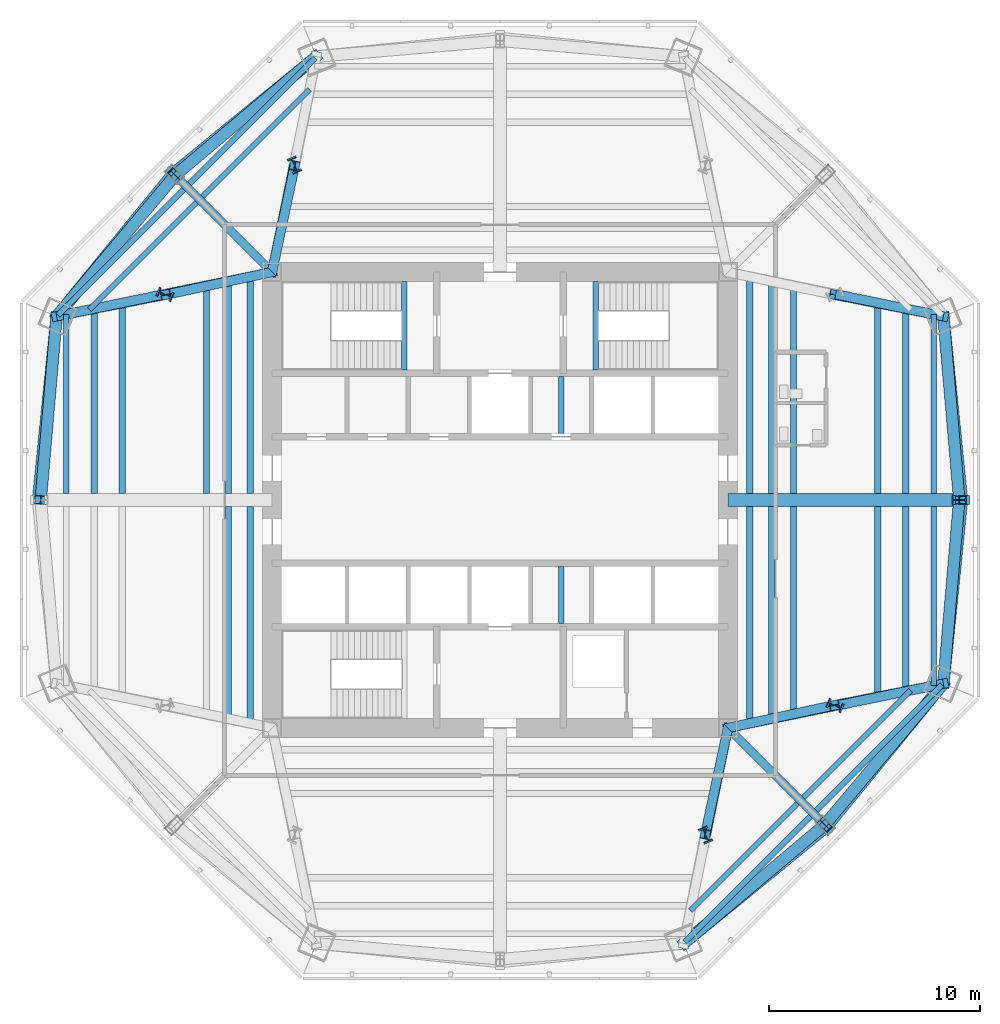
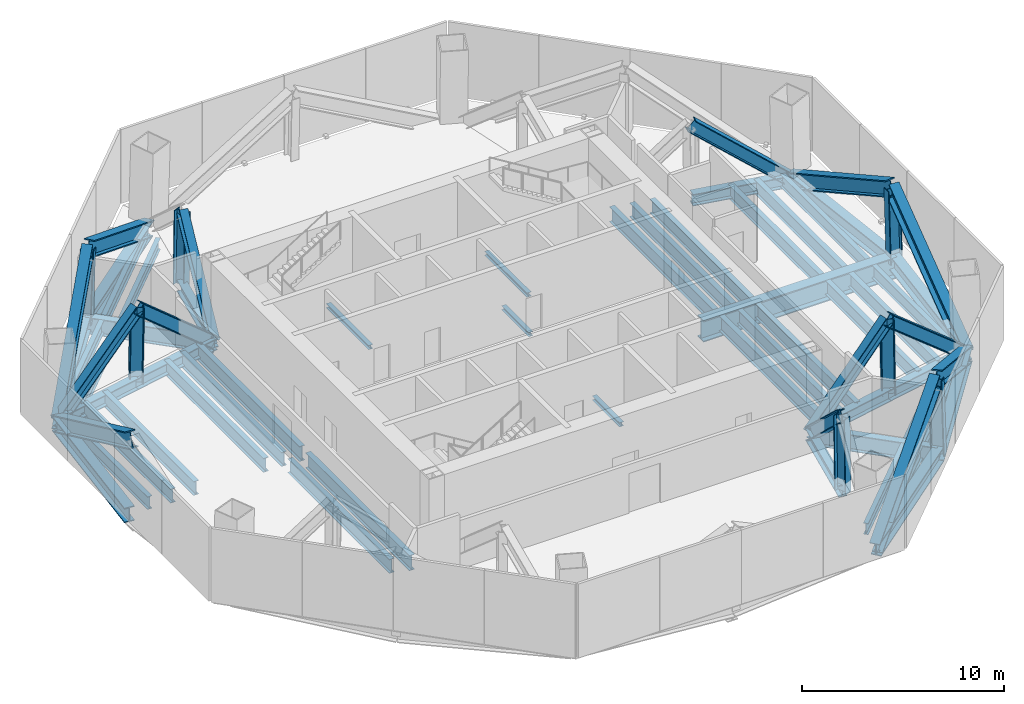
# One storey, part 2 of 9: 35 beams, 35 members.
"""IFC4 building model written with IfcOpenShell, lengths in metres."""

from ifc_helpers import new_model, si_unit, direction, frame, origin, origin_2d, place, context, subcontext, project, spatial, i_section, extrude, source, transform, mapped, material, material_profile, profile_set, type_object, type_shapes, element, save


model = new_model("IFC4")

# Units and contexts
model_context = context("Model", 3, precision=1e-05, world=origin(), true_north=direction((0.0, 1.0)))
body_context = subcontext(model_context, "Body", "Model", "MODEL_VIEW")
ifc_project = project(units=[si_unit("LENGTHUNIT", "METRE"), si_unit("AREAUNIT", "SQUARE_METRE"), si_unit("VOLUMEUNIT", "CUBIC_METRE"), si_unit("PLANEANGLEUNIT", "RADIAN"), si_unit("MASSUNIT", "GRAM", prefix="KILO")], contexts=[model_context])

# Site, building, storey
site_placement = place(None, origin())
site = spatial("IfcSite", under=ifc_project, at=site_placement, CompositionType="ELEMENT")
building_placement = place(site_placement, origin())
building = spatial("IfcBuilding", under=site, at=building_placement, Name="Mashrafa Tower", CompositionType="ELEMENT")
storey_placement = place(building_placement, frame((0.0, 0.0, 189.0)))
storey = spatial("IfcBuildingStorey", under=building, at=storey_placement, Name="L43", CompositionType="ELEMENT", Elevation=189.0)

# Beams
ifc_material_1 = material(Name="Steel ASTM A572 Gr 50", Category="steel")
ifc_material_profile_1 = material_profile(ifc_material_1, i_section(OverallWidth=0.60009765625, OverallDepth=1.300048828125, WebThickness=0.028076171875, FlangeThickness=0.06494140625, at=origin_2d()), Name="H1300X600X28X65")
ifc_profile_set_1 = profile_set([ifc_material_profile_1], Name="Steel ASTM A572 Gr 50")
beam_type_1 = type_object("IfcBeamType", Name="Beam H1300X600X28X65", PredefinedType="BEAM", material=ifc_profile_set_1)
beam_1_placement = place(storey_placement, frame((10.800048828125, 0.0, -0.89990234375), z_axis=(1.0, 0.0, 0.0), x_axis=(0.0, 1.0, 0.0)))
element("IfcBeam", 1, at=beam_1_placement, inside=storey, type_object=beam_type_1, Name="Radial girder L43 071", PredefinedType="BEAM", context=body_context, shape_type="SweptSolid", body=[
    extrude(i_section(OverallWidth=0.60009765625, OverallDepth=1.300048828125, WebThickness=0.028076171875, FlangeThickness=0.06494140625, at=origin_2d()), origin(), (0.0, 0.0, 1.0), 11.0751953125),
])
ifc_material_2 = material(Name="Steel ASTM A992", Category="steel")
ifc_material_profile_2 = material_profile(ifc_material_2, i_section(OverallWidth=0.25390625, OverallDepth=0.683349609375, WebThickness=0.012451171875, FlangeThickness=0.01904296875, FilletRadius=0.01513671875, at=origin_2d()), Name="W27X94")
ifc_profile_set_2 = profile_set([ifc_material_profile_2], Name="Steel ASTM A992")
beam_type_2 = type_object("IfcBeamType", Name="Beam W27X94", PredefinedType="BEAM", material=ifc_profile_set_2)
for number, where, z_axis, x_axis, name in (
    (2, (-19.461181640625, 9.013916015625, -0.591552734375), (0.707106781187, 0.707106781187, 0.0), (-0.707106781187, 0.707106781187, 0.0), "Floor beam L43 004"),
    (3, (-14.095703125, 14.37939453125, -0.591552734375), (0.707106781187, 0.707106781187, 0.0), (-0.707106781187, 0.707106781187, 0.0), "Floor beam L43 012"),
    (4, (14.095703125, -14.37939453125, -0.591552734375), (-0.707106781187, -0.707106781187, 0.0), (0.707106781187, -0.707106781187, 0.0), "Floor beam L43 053"),
    (5, (19.461181640625, -9.013916015625, -0.591552734375), (-0.707106781187, -0.707106781187, 0.0), (0.707106781187, -0.707106781187, 0.0), "Floor beam L43 061"),
):
    element("IfcBeam", number, at=place(storey_placement, frame(where, z_axis=z_axis, x_axis=x_axis)), inside=storey, type_object=beam_type_2, Name=name, PredefinedType="BEAM", context=body_context, shape_type="SweptSolid", body=[
        extrude(i_section(OverallWidth=0.25390625, OverallDepth=0.683349609375, WebThickness=0.012451171875, FlangeThickness=0.01904296875, FilletRadius=0.01513671875, at=origin_2d()), origin(), (0.0, 0.0, 1.0), 7.186767578125),
    ])
ifc_material_3 = material(Name="Steel ASTM A992", Category="steel")
ifc_material_profile_3 = material_profile(ifc_material_3, i_section(OverallWidth=0.2666015625, OverallDepth=0.761962890625, WebThickness=0.014404296875, FlangeThickness=0.021484375, FilletRadius=0.0166015625, at=origin_2d()), Name="W30X116")
ifc_profile_set_3 = profile_set([ifc_material_profile_3], Name="Steel ASTM A992")
beam_type_3 = type_object("IfcBeamType", Name="Beam W30X116", PredefinedType="BEAM", material=ifc_profile_set_3)
beam_2_placement = place(storey_placement, frame((-20.9462890625, 8.759521484375, -0.631103515625), z_axis=(0.707121284305, 0.707092277771, 0.0), x_axis=(-0.707092277771, 0.707121284305, 0.0)))
element("IfcBeam", 6, at=beam_2_placement, inside=storey, type_object=beam_type_3, Name="Floor beam L43 001", PredefinedType="BEAM", context=body_context, shape_type="SweptSolid", body=[
    extrude(i_section(OverallWidth=0.2666015625, OverallDepth=0.761962890625, WebThickness=0.014404296875, FlangeThickness=0.021484375, FilletRadius=0.0166015625, at=origin_2d()), origin(), (0.0, 0.0, 1.0), 8.416748046875),
])
beam_3_placement = place(storey_placement, frame((-20.5498046875, 0.300048828125, -0.631103515625), z_axis=(0.0, 1.0, 0.0), x_axis=(-1.0, 0.0, 0.0)))
element("IfcBeam", 7, at=beam_3_placement, inside=storey, type_object=beam_type_3, Name="Floor beam L43 003", PredefinedType="BEAM", context=body_context, shape_type="SweptSolid", body=[
    extrude(i_section(OverallWidth=0.2666015625, OverallDepth=0.761962890625, WebThickness=0.014404296875, FlangeThickness=0.021484375, FilletRadius=0.0166015625, at=origin_2d()), origin(), (0.0, 0.0, 1.0), 8.489501953125),
])
for number, where, z_axis, x_axis, name in (
    (8, (-14.7109375, 14.99462890625, -0.631103515625), (0.707092277771, 0.707121284305, 0.0), (-0.707121284305, 0.707092277771, 0.0), "Floor beam L43 010"),
    (9, (14.7109375, -14.99462890625, -0.631103515625), (-0.707092277771, -0.707121284305, 0.0), (0.707121284305, -0.707092277771, 0.0), "Floor beam L43 055"),
):
    element("IfcBeam", number, at=place(storey_placement, frame(where, z_axis=z_axis, x_axis=x_axis)), inside=storey, type_object=beam_type_3, Name=name, PredefinedType="BEAM", context=body_context, shape_type="SweptSolid", body=[
        extrude(i_section(OverallWidth=0.2666015625, OverallDepth=0.761962890625, WebThickness=0.014404296875, FlangeThickness=0.021484375, FilletRadius=0.0166015625, at=origin_2d()), origin(), (0.0, 0.0, 1.0), 8.416748046875),
    ])
for number, where, z_axis, x_axis, name in (
    (10, (20.5498046875, -0.300048828125, -0.631103515625), (0.0, -1.0, 0.0), (1.0, 0.0, 0.0), "Floor beam L43 062"),
    (11, (20.5498046875, 8.78955078125, -0.631103515625), (0.0, -1.0, 0.0), (1.0, 0.0, 0.0), "Floor beam L43 063"),
):
    element("IfcBeam", number, at=place(storey_placement, frame(where, z_axis=z_axis, x_axis=x_axis)), inside=storey, type_object=beam_type_3, Name=name, PredefinedType="BEAM", context=body_context, shape_type="SweptSolid", body=[
        extrude(i_section(OverallWidth=0.2666015625, OverallDepth=0.761962890625, WebThickness=0.014404296875, FlangeThickness=0.021484375, FilletRadius=0.0166015625, at=origin_2d()), origin(), (0.0, 0.0, 1.0), 8.489501953125),
    ])
beam_4_placement = place(storey_placement, frame((20.9462890625, -8.759521484375, -0.631103515625), z_axis=(-0.707121284305, -0.707092277771, 0.0), x_axis=(0.707092277771, -0.707121284305, 0.0)))
element("IfcBeam", 12, at=beam_4_placement, inside=storey, type_object=beam_type_3, Name="Floor beam L43 064", PredefinedType="BEAM", context=body_context, shape_type="SweptSolid", body=[
    extrude(i_section(OverallWidth=0.2666015625, OverallDepth=0.761962890625, WebThickness=0.014404296875, FlangeThickness=0.021484375, FilletRadius=0.0166015625, at=origin_2d()), origin(), (0.0, 0.0, 1.0), 8.416748046875),
])
ifc_material_4 = material(Name="Steel ASTM A992", Category="steel")
ifc_material_profile_4 = material_profile(ifc_material_4, i_section(OverallWidth=0.2919921875, OverallDepth=0.8408203125, WebThickness=0.0146484375, FlangeThickness=0.021728515625, FilletRadius=0.017333984375, at=origin_2d()), Name="W33X130")
ifc_profile_set_4 = profile_set([ifc_material_profile_4], Name="Steel ASTM A992")
beam_type_4 = type_object("IfcBeamType", Name="Beam W33X130", PredefinedType="BEAM", material=ifc_profile_set_4)
beam_5_placement = place(storey_placement, frame((-19.224365234375, 0.300048828125, -0.67041015625), z_axis=(0.0, 1.0, 0.0), x_axis=(-1.0, 0.0, 0.0)))
element("IfcBeam", 13, at=beam_5_placement, inside=storey, type_object=beam_type_4, Name="Floor beam L43 006", PredefinedType="BEAM", context=body_context, shape_type="SweptSolid", body=[
    extrude(i_section(OverallWidth=0.2919921875, OverallDepth=0.8408203125, WebThickness=0.0146484375, FlangeThickness=0.021728515625, FilletRadius=0.017333984375, at=origin_2d()), origin(), (0.0, 0.0, 1.0), 8.7626953125),
])
for number, where, z_axis, x_axis, name in (
    (14, (-17.89892578125, 0.300048828125, -0.67041015625), (0.0, 1.0, 0.0), (-1.0, 0.0, 0.0), "Floor beam L43 008"),
    (15, (17.89892578125, -0.300048828125, -0.67041015625), (0.0, -1.0, 0.0), (1.0, 0.0, 0.0), "Floor beam L43 057"),
    (16, (17.89892578125, 9.336181640625, -0.67041015625), (0.0, -1.0, 0.0), (1.0, 0.0, 0.0), "Floor beam L43 058"),
):
    element("IfcBeam", number, at=place(storey_placement, frame(where, z_axis=z_axis, x_axis=x_axis)), inside=storey, type_object=beam_type_4, Name=name, PredefinedType="BEAM", context=body_context, shape_type="SweptSolid", body=[
        extrude(i_section(OverallWidth=0.2919921875, OverallDepth=0.8408203125, WebThickness=0.0146484375, FlangeThickness=0.021728515625, FilletRadius=0.017333984375, at=origin_2d()), origin(), (0.0, 0.0, 1.0), 9.0361328125),
    ])
for number, where, z_axis, x_axis, name in (
    (17, (19.224365234375, -0.300048828125, -0.67041015625), (0.0, -1.0, 0.0), (1.0, 0.0, 0.0), "Floor beam L43 059"),
    (18, (19.224365234375, 9.062744140625, -0.67041015625), (0.0, -1.0, 0.0), (1.0, 0.0, 0.0), "Floor beam L43 060"),
):
    element("IfcBeam", number, at=place(storey_placement, frame(where, z_axis=z_axis, x_axis=x_axis)), inside=storey, type_object=beam_type_4, Name=name, PredefinedType="BEAM", context=body_context, shape_type="SweptSolid", body=[
        extrude(i_section(OverallWidth=0.2919921875, OverallDepth=0.8408203125, WebThickness=0.0146484375, FlangeThickness=0.021728515625, FilletRadius=0.017333984375, at=origin_2d()), origin(), (0.0, 0.0, 1.0), 8.7626953125),
    ])
ifc_material_5 = material(Name="Steel ASTM A992", Category="steel")
ifc_material_profile_5 = material_profile(ifc_material_5, i_section(OverallWidth=0.2919921875, OverallDepth=0.845703125, WebThickness=0.015380859375, FlangeThickness=0.0244140625, FilletRadius=0.017333984375, at=origin_2d()), Name="W33X141")
ifc_profile_set_5 = profile_set([ifc_material_profile_5], Name="Steel ASTM A992")
beam_type_5 = type_object("IfcBeamType", Name="Beam W33X141", PredefinedType="BEAM", material=ifc_profile_set_5)
beam_6_placement = place(storey_placement, frame((-13.89892578125, 0.300048828125, -0.6728515625), z_axis=(0.0, 1.0, 0.0), x_axis=(-1.0, 0.0, 0.0)))
element("IfcBeam", 19, at=beam_6_placement, inside=storey, type_object=beam_type_5, Name="Floor beam L43 014", PredefinedType="BEAM", context=body_context, shape_type="SweptSolid", body=[
    extrude(i_section(OverallWidth=0.2919921875, OverallDepth=0.845703125, WebThickness=0.015380859375, FlangeThickness=0.0244140625, FilletRadius=0.017333984375, at=origin_2d()), origin(), (0.0, 0.0, 1.0), 9.86083984375),
])
for number, where, z_axis, x_axis, name in (
    (20, (-12.865966796875, -10.3740234375, -0.6728515625), (0.0, 1.0, 0.0), (-1.0, 0.0, 0.0), "Floor beam L43 015"),
    (21, (-12.865966796875, 0.300048828125, -0.6728515625), (0.0, 1.0, 0.0), (-1.0, 0.0, 0.0), "Floor beam L43 016"),
    (22, (12.865966796875, -0.300048828125, -0.6728515625), (0.0, -1.0, 0.0), (1.0, 0.0, 0.0), "Floor beam L43 049"),
    (23, (12.865966796875, 10.3740234375, -0.6728515625), (0.0, -1.0, 0.0), (1.0, 0.0, 0.0), "Floor beam L43 050"),
):
    element("IfcBeam", number, at=place(storey_placement, frame(where, z_axis=z_axis, x_axis=x_axis)), inside=storey, type_object=beam_type_5, Name=name, PredefinedType="BEAM", context=body_context, shape_type="SweptSolid", body=[
        extrude(i_section(OverallWidth=0.2919921875, OverallDepth=0.845703125, WebThickness=0.015380859375, FlangeThickness=0.0244140625, FilletRadius=0.017333984375, at=origin_2d()), origin(), (0.0, 0.0, 1.0), 10.073974609375),
    ])
for number, where, z_axis, x_axis, name in (
    (24, (13.89892578125, -0.300048828125, -0.6728515625), (0.0, -1.0, 0.0), (1.0, 0.0, 0.0), "Floor beam L43 051"),
    (25, (13.89892578125, 10.160888671875, -0.6728515625), (0.0, -1.0, 0.0), (1.0, 0.0, 0.0), "Floor beam L43 052"),
):
    element("IfcBeam", number, at=place(storey_placement, frame(where, z_axis=z_axis, x_axis=x_axis)), inside=storey, type_object=beam_type_5, Name=name, PredefinedType="BEAM", context=body_context, shape_type="SweptSolid", body=[
        extrude(i_section(OverallWidth=0.2919921875, OverallDepth=0.845703125, WebThickness=0.015380859375, FlangeThickness=0.0244140625, FilletRadius=0.017333984375, at=origin_2d()), origin(), (0.0, 0.0, 1.0), 9.86083984375),
    ])
ifc_material_6 = material(Name="Steel ASTM A992", Category="steel")
ifc_material_profile_6 = material_profile(ifc_material_6, i_section(OverallWidth=0.3046875, OverallDepth=0.911865234375, WebThickness=0.015869140625, FlangeThickness=0.02392578125, FilletRadius=0.01904296875, at=origin_2d()), Name="W36X150")
ifc_profile_set_6 = profile_set([ifc_material_profile_6], Name="Steel ASTM A992")
beam_type_6 = type_object("IfcBeamType", Name="Beam W36X150", PredefinedType="BEAM", material=ifc_profile_set_6)
for number, where, z_axis, x_axis, name in (
    (26, (-11.8330078125, -10.5869140625, -0.705810546875), (0.0, 1.0, 0.0), (-1.0, 0.0, 0.0), "Floor beam L43 017"),
    (27, (-11.8330078125, 0.300048828125, -0.705810546875), (0.0, 1.0, 0.0), (-1.0, 0.0, 0.0), "Floor beam L43 018"),
    (28, (11.8330078125, -0.300048828125, -0.705810546875), (0.0, -1.0, 0.0), (1.0, 0.0, 0.0), "Floor beam L43 047"),
    (29, (11.8330078125, 10.5869140625, -0.705810546875), (0.0, -1.0, 0.0), (1.0, 0.0, 0.0), "Floor beam L43 048"),
):
    element("IfcBeam", number, at=place(storey_placement, frame(where, z_axis=z_axis, x_axis=x_axis)), inside=storey, type_object=beam_type_6, Name=name, PredefinedType="BEAM", context=body_context, shape_type="SweptSolid", body=[
        extrude(i_section(OverallWidth=0.3046875, OverallDepth=0.911865234375, WebThickness=0.015869140625, FlangeThickness=0.02392578125, FilletRadius=0.01904296875, at=origin_2d()), origin(), (0.0, 0.0, 1.0), 10.286865234375),
    ])
ifc_material_7 = material(Name="Steel ASTM A992", Category="steel")
ifc_material_profile_7 = material_profile(ifc_material_7, i_section(OverallWidth=0.4013671875, OverallDepth=1.010986328125, WebThickness=0.023681640625, FlangeThickness=0.0419921875, FilletRadius=0.02001953125, at=origin_2d()), Name="W40X297")
ifc_profile_set_7 = profile_set([ifc_material_profile_7], Name="Steel ASTM A992")
beam_type_7 = type_object("IfcBeamType", Name="Beam W40X297", PredefinedType="BEAM", material=ifc_profile_set_7)
for number, where, z_axis, x_axis, name in (
    (30, (-10.800048828125, 10.800048828125, -0.75537109375), (-0.707106781187, 0.707106781187, 0.0), (-0.707106781187, -0.707106781187, 0.0), "Radial girder L43 067"),
    (31, (10.800048828125, -10.800048828125, -0.75537109375), (0.707106781187, -0.707106781187, 0.0), (0.707106781187, 0.707106781187, 0.0), "Radial girder L43 070"),
):
    element("IfcBeam", number, at=place(storey_placement, frame(where, z_axis=z_axis, x_axis=x_axis)), inside=storey, type_object=beam_type_7, Name=name, PredefinedType="BEAM", context=body_context, shape_type="SweptSolid", body=[
        extrude(i_section(OverallWidth=0.4013671875, OverallDepth=1.010986328125, WebThickness=0.023681640625, FlangeThickness=0.0419921875, FilletRadius=0.02001953125, at=origin_2d()), origin(), (0.0, 0.0, 1.0), 6.6015625),
    ])
ifc_material_8 = material(Name="Steel ASTM A992", Category="steel")
ifc_material_profile_8 = material_profile(ifc_material_8, i_section(OverallWidth=0.25390625, OverallDepth=0.25390625, WebThickness=0.008544921875, FlangeThickness=0.01416015625, FilletRadius=0.010009765625, at=origin_2d()), Name="W10X49")
ifc_profile_set_8 = profile_set([ifc_material_profile_8], Name="Steel ASTM A992")
beam_type_8 = type_object("IfcBeamType", Name="Hoistway beam W10X49", PredefinedType="BEAM", material=ifc_profile_set_8)
for number, where, z_axis, x_axis, name in (
    (32, (2.89990234375, 3.14990234375, -0.376953125), (0.0, 1.0, 0.0), (-1.0, 0.0, 0.0), "Hoistway beam L43 06"),
    (33, (2.89990234375, -5.85009765625, -0.376953125), (0.0, 1.0, 0.0), (-1.0, 0.0, 0.0), "Hoistway beam L43 07"),
):
    element("IfcBeam", number, at=place(storey_placement, frame(where, z_axis=z_axis, x_axis=x_axis)), inside=storey, type_object=beam_type_8, Name=name, PredefinedType="BEAM", context=body_context, shape_type="SweptSolid", body=[
        extrude(i_section(OverallWidth=0.25390625, OverallDepth=0.25390625, WebThickness=0.008544921875, FlangeThickness=0.01416015625, FilletRadius=0.010009765625, at=origin_2d()), origin(), (0.0, 0.0, 1.0), 2.7001953125),
    ])
for number, where, z_axis, x_axis, name in (
    (34, (-4.530029296875, 6.14990234375, -0.376953125), (0.0, 1.0, 0.0), (-1.0, 0.0, 0.0), "Stair S1 landing beam L43"),
    (35, (4.530029296875, 6.14990234375, -0.376953125), (0.0, 1.0, 0.0), (-1.0, 0.0, 0.0), "Stair S2 landing beam L43"),
):
    element("IfcBeam", number, at=place(storey_placement, frame(where, z_axis=z_axis, x_axis=x_axis)), inside=storey, type_object=beam_type_8, Name=name, PredefinedType="BEAM", context=body_context, shape_type="SweptSolid", body=[
        extrude(i_section(OverallWidth=0.25390625, OverallDepth=0.25390625, WebThickness=0.008544921875, FlangeThickness=0.01416015625, FilletRadius=0.010009765625, at=origin_2d()), origin(), (0.0, 0.0, 1.0), 4.2001953125),
    ])

# Members
ifc_material_9 = material(Name="Steel ASTM A572 Gr 50", Category="steel")
ifc_material_profile_9 = material_profile(ifc_material_9, i_section(OverallWidth=0.449951171875, OverallDepth=0.699951171875, WebThickness=0.028076171875, FlangeThickness=0.044921875, at=origin_2d()), Name="H700X450X28X45")
ifc_profile_set_9 = profile_set([ifc_material_profile_9], Name="Steel ASTM A572 Gr 50")
member_type_1 = type_object("IfcMemberType", Name="Outrigger post H700X450X28X45", PredefinedType="POST", material=ifc_profile_set_9)
shared_shape_1 = source(origin(), body_context, "Body", "SweptSolid", [
    extrude(i_section(OverallWidth=0.449951171875, OverallDepth=0.699951171875, WebThickness=0.028076171875, FlangeThickness=0.044921875, at=origin_2d()), origin(), (0.0, 0.0, 1.0), 4.50048828125),
])
type_shapes(member_type_1, [shared_shape_1])
for number, where, z_axis, x_axis, name in (
    (36, (-9.751220703125, 15.90478515625, -0.699951171875), (0.005858691598, -0.01410425755, 0.999883366024), (0.923496716237, 0.383606328283, 0.0), "Outrigger post MC3 L43"),
    (37, (-15.90478515625, 9.751220703125, -0.699951171875), (0.01410425755, -0.005858691598, 0.999883366024), (0.383606328283, 0.923496716237, 0.0), "Outrigger post MC4 L43"),
    (38, (9.751220703125, -15.90478515625, -0.699951171875), (-0.005858691598, 0.01410425755, 0.999883366024), (-0.923496716237, -0.383606328283, 0.0), "Outrigger post MC7 L43"),
    (39, (15.90478515625, -9.751220703125, -0.699951171875), (-0.01410425755, 0.005858691598, 0.999883366024), (-0.383606328283, -0.923496716237, 0.0), "Outrigger post MC8 L43"),
):
    element("IfcMember", number, at=place(storey_placement, frame(where, z_axis=z_axis, x_axis=x_axis)), inside=storey, type_object=member_type_1, Name=name, PredefinedType="POST", context=body_context, shape_type="MappedRepresentation", body=[
        mapped(shared_shape_1, transform((0.0, 0.0, 0.0))),
    ])
ifc_material_10 = material(Name="Steel ASTM A572 Gr 50", Category="steel")
ifc_material_profile_10 = material_profile(ifc_material_10, i_section(OverallWidth=0.550048828125, OverallDepth=0.89990234375, WebThickness=0.034912109375, FlangeThickness=0.06005859375, at=origin_2d()), Name="H900X550X35X60")
ifc_profile_set_10 = profile_set([ifc_material_profile_10], Name="Steel ASTM A572 Gr 50")
member_type_2 = type_object("IfcMemberType", Name="Belt truss chord H900X550X35X60", PredefinedType="CHORD", material=ifc_profile_set_10)
shared_shape_2 = source(origin(), body_context, "Body", "SweptSolid", [
    extrude(i_section(OverallWidth=0.550048828125, OverallDepth=0.89990234375, WebThickness=0.034912109375, FlangeThickness=0.06005859375, at=origin_2d()), origin(), (0.0, 0.0, 1.0), 8.746826171875),
])
for number, where, z_axis, x_axis, name in (
    (40, (21.009765625, -8.70263671875, -0.699951171875), (0.100399070073, 0.994947248214, 0.0), (-0.994947248214, 0.100399070073, 0.0), "Belt truss bottom chord east face L43 right"),
    (41, (21.009765625, 8.70263671875, -0.699951171875), (0.100399070073, -0.994947248214, 0.0), (0.994947248214, 0.100399070073, 0.0), "Belt truss bottom chord east face L43 left"),
    (42, (-21.009765625, 8.70263671875, -0.699951171875), (-0.100399070073, -0.994947248214, 0.0), (0.994947248214, -0.100399070073, 0.0), "Belt truss bottom chord west face L43 right"),
):
    element("IfcMember", number, at=place(storey_placement, frame(where, z_axis=z_axis, x_axis=x_axis)), inside=storey, type_object=member_type_2, Name=name, PredefinedType="CHORD", context=body_context, shape_type="MappedRepresentation", body=[
        mapped(shared_shape_2, transform((0.0, 0.0, 0.0))),
    ])
ifc_material_11 = material(Name="Steel ASTM A572 Gr 50", Category="steel")
ifc_material_profile_11 = material_profile(ifc_material_11, i_section(OverallWidth=0.449951171875, OverallDepth=0.699951171875, WebThickness=0.028076171875, FlangeThickness=0.044921875, at=origin_2d()), Name="H700X450X28X45")
ifc_profile_set_11 = profile_set([ifc_material_profile_11], Name="Steel ASTM A572 Gr 50")
member_type_3 = type_object("IfcMemberType", Name="Belt truss post H700X450X28X45", PredefinedType="POST", material=ifc_profile_set_11)
shared_shape_3 = source(origin(), body_context, "Body", "SweptSolid", [
    extrude(i_section(OverallWidth=0.449951171875, OverallDepth=0.699951171875, WebThickness=0.028076171875, FlangeThickness=0.044921875, at=origin_2d()), origin(), (0.0, 0.0, 1.0), 4.501708984375),
])
type_shapes(member_type_3, [shared_shape_3])
for number, where, z_axis, x_axis, name in (
    (43, (21.887939453125, 0.0, -0.699951171875), (-0.028254773922, 0.0, 0.999600754177), (0.0, -1.0, 0.0), "Belt truss post east face L43"),
    (44, (-15.47705078125, 15.47705078125, -0.699951171875), (0.019957324127, -0.019957324127, 0.999601625863), (0.707106781187, 0.707106781187, 0.0), "Belt truss post north-west face L43"),
    (45, (15.47705078125, -15.47705078125, -0.699951171875), (-0.019957324127, 0.019957324127, 0.999601625863), (-0.707106781187, -0.707106781187, 0.0), "Belt truss post south-east face L43"),
):
    element("IfcMember", number, at=place(storey_placement, frame(where, z_axis=z_axis, x_axis=x_axis)), inside=storey, type_object=member_type_3, Name=name, PredefinedType="POST", context=body_context, shape_type="MappedRepresentation", body=[
        mapped(shared_shape_3, transform((0.0, 0.0, 0.0))),
    ])
ifc_material_12 = material(Name="Steel ASTM A572 Gr 50", Category="steel")
ifc_material_profile_12 = material_profile(ifc_material_12, i_section(OverallWidth=0.550048828125, OverallDepth=0.89990234375, WebThickness=0.034912109375, FlangeThickness=0.06005859375, at=origin_2d()), Name="H900X550X35X60")
ifc_profile_set_12 = profile_set([ifc_material_profile_12], Name="Steel ASTM A572 Gr 50")
member_type_4 = type_object("IfcMemberType", Name="Belt truss diagonal H900X550X35X60", PredefinedType="BRACE", material=ifc_profile_set_12)
shared_shape_4 = source(origin(), body_context, "Body", "SweptSolid", [
    extrude(i_section(OverallWidth=0.550048828125, OverallDepth=0.89990234375, WebThickness=0.034912109375, FlangeThickness=0.06005859375, at=origin_2d()), origin(), (0.0, 0.0, 1.0), 9.825927734375),
])
type_shapes(member_type_4, [shared_shape_4])
for number, where, z_axis, x_axis, name in (
    (46, (21.009765625, -8.70263671875, -0.699951171875), (0.076427662609, 0.88567635285, 0.457969660993), (-0.996297425327, 0.085973485954, 0.0), "Belt truss diagonal east face L43 right"),
    (47, (21.009765625, 8.70263671875, -0.699951171875), (0.076427662609, -0.88567635285, 0.457969660993), (0.996297425327, 0.085973485954, 0.0), "Belt truss diagonal east face L43 left"),
    (48, (-8.70263671875, 21.009765625, -0.699951171875), (-0.680306940422, -0.572223113145, 0.457977265371), (0.64369667871, -0.765280723538, 0.0), "Belt truss diagonal north-west face L43 right"),
    (49, (-21.009765625, 8.70263671875, -0.699951171875), (0.572223113145, 0.680306940422, 0.457977265371), (-0.765280723538, 0.64369667871, 0.0), "Belt truss diagonal north-west face L43 left"),
    (50, (-21.009765625, 8.70263671875, -0.699951171875), (-0.076427662609, -0.88567635285, 0.457969660993), (0.996297425327, -0.085973485954, 0.0), "Belt truss diagonal west face L43 right"),
    (51, (8.70263671875, -21.009765625, -0.699951171875), (0.680306940422, 0.572223113145, 0.457977265371), (-0.64369667871, 0.765280723538, 0.0), "Belt truss diagonal south-east face L43 right"),
    (52, (21.009765625, -8.70263671875, -0.699951171875), (-0.572223113145, -0.680306940422, 0.457977265371), (0.765280723538, -0.64369667871, 0.0), "Belt truss diagonal south-east face L43 left"),
):
    element("IfcMember", number, at=place(storey_placement, frame(where, z_axis=z_axis, x_axis=x_axis)), inside=storey, type_object=member_type_4, Name=name, PredefinedType="BRACE", context=body_context, shape_type="MappedRepresentation", body=[
        mapped(shared_shape_4, transform((0.0, 0.0, 0.0))),
    ])
shared_shape_5 = source(origin(), body_context, "Body", "SweptSolid", [
    extrude(i_section(OverallWidth=0.550048828125, OverallDepth=0.89990234375, WebThickness=0.034912109375, FlangeThickness=0.06005859375, at=origin_2d()), origin(), (0.0, 0.0, 1.0), 8.74658203125),
])
type_shapes(member_type_2, [shared_shape_2, shared_shape_5])
for number, where, z_axis, x_axis, name in (
    (53, (-8.70263671875, 21.009765625, -0.699951171875), (-0.774516629184, -0.632553548024, 0.0), (0.632553548024, -0.774516629184, 0.0), "Belt truss bottom chord north-west face L43 right"),
    (54, (-21.009765625, 8.70263671875, -0.699951171875), (0.632553548024, 0.774516629184, 0.0), (-0.774516629184, 0.632553548024, 0.0), "Belt truss bottom chord north-west face L43 left"),
    (55, (8.70263671875, -21.009765625, -0.699951171875), (0.774516629184, 0.632553548024, 0.0), (-0.632553548024, 0.774516629184, 0.0), "Belt truss bottom chord south-east face L43 right"),
    (56, (21.009765625, -8.70263671875, -0.699951171875), (-0.632553548024, -0.774516629184, 0.0), (0.774516629184, -0.632553548024, 0.0), "Belt truss bottom chord south-east face L43 left"),
):
    element("IfcMember", number, at=place(storey_placement, frame(where, z_axis=z_axis, x_axis=x_axis)), inside=storey, type_object=member_type_2, Name=name, PredefinedType="CHORD", context=body_context, shape_type="MappedRepresentation", body=[
        mapped(shared_shape_5, transform((0.0, 0.0, 0.0))),
    ])
ifc_material_13 = material(Name="Steel ASTM A572 Gr 50", Category="steel")
ifc_material_profile_13 = material_profile(ifc_material_13, i_section(OverallWidth=0.449951171875, OverallDepth=0.699951171875, WebThickness=0.028076171875, FlangeThickness=0.044921875, at=origin_2d()), Name="H700X450X28X45")
ifc_profile_set_13 = profile_set([ifc_material_profile_13], Name="Steel ASTM A572 Gr 50")
member_type_5 = type_object("IfcMemberType", Name="Outrigger chord H700X450X28X45", PredefinedType="CHORD", material=ifc_profile_set_13)
shared_shape_6 = source(origin(), body_context, "Body", "SweptSolid", [
    extrude(i_section(OverallWidth=0.449951171875, OverallDepth=0.699951171875, WebThickness=0.028076171875, FlangeThickness=0.044921875, at=origin_2d()), origin(), (0.0, 0.0, 1.0), 5.21142578125),
])
for number, where, z_axis, x_axis, name in (
    (57, (-10.800048828125, 10.800048828125, -0.699951171875), (0.201257673042, 0.979538334646, 0.0), (-0.979538334646, 0.201257673042, 0.0), "Outrigger bottom chord MC3 L43 core end"),
    (58, (-10.800048828125, 10.800048828125, -0.699951171875), (-0.979538334646, -0.201257673042, 0.0), (0.201257673042, -0.979538334646, 0.0), "Outrigger bottom chord MC4 L43 core end"),
    (59, (10.800048828125, -10.800048828125, -0.699951171875), (-0.201257673042, -0.979538334646, 0.0), (0.979538334646, -0.201257673042, 0.0), "Outrigger bottom chord MC7 L43 core end"),
    (60, (10.800048828125, -10.800048828125, -0.699951171875), (0.979538334646, 0.201257673042, 0.0), (-0.201257673042, 0.979538334646, 0.0), "Outrigger bottom chord MC8 L43 core end"),
):
    element("IfcMember", number, at=place(storey_placement, frame(where, z_axis=z_axis, x_axis=x_axis)), inside=storey, type_object=member_type_5, Name=name, PredefinedType="CHORD", context=body_context, shape_type="MappedRepresentation", body=[
        mapped(shared_shape_6, transform((0.0, 0.0, 0.0))),
    ])
shared_shape_7 = source(origin(), body_context, "Body", "SweptSolid", [
    extrude(i_section(OverallWidth=0.449951171875, OverallDepth=0.699951171875, WebThickness=0.028076171875, FlangeThickness=0.044921875, at=origin_2d()), origin(), (0.0, 0.0, 1.0), 5.211669921875),
])
type_shapes(member_type_5, [shared_shape_6, shared_shape_7])
for number, where, z_axis, x_axis, name in (
    (61, (15.90478515625, 9.751220703125, -0.699951171875), (0.979549465826, -0.201203489035, 0.0), (0.201203489035, 0.979549465826, 0.0), "Outrigger bottom chord MC1 L43 column end"),
    (62, (-15.90478515625, 9.751220703125, -0.699951171875), (-0.979549465826, -0.201203489035, 0.0), (0.201203489035, -0.979549465826, 0.0), "Outrigger bottom chord MC4 L43 column end"),
    (63, (15.90478515625, -9.751220703125, -0.699951171875), (0.979549465826, 0.201203489035, 0.0), (-0.201203489035, 0.979549465826, 0.0), "Outrigger bottom chord MC8 L43 column end"),
):
    element("IfcMember", number, at=place(storey_placement, frame(where, z_axis=z_axis, x_axis=x_axis)), inside=storey, type_object=member_type_5, Name=name, PredefinedType="CHORD", context=body_context, shape_type="MappedRepresentation", body=[
        mapped(shared_shape_7, transform((0.0, 0.0, 0.0))),
    ])
ifc_material_14 = material(Name="Steel ASTM A572 Gr 50", Category="steel")
ifc_material_profile_14 = material_profile(ifc_material_14, i_section(OverallWidth=0.449951171875, OverallDepth=0.699951171875, WebThickness=0.028076171875, FlangeThickness=0.044921875, at=origin_2d()), Name="H700X450X28X45")
ifc_profile_set_14 = profile_set([ifc_material_profile_14], Name="Steel ASTM A572 Gr 50")
member_type_6 = type_object("IfcMemberType", Name="Outrigger diagonal H700X450X28X45", PredefinedType="BRACE", material=ifc_profile_set_14)
shared_shape_8 = source(origin(), body_context, "Body", "SweptSolid", [
    extrude(i_section(OverallWidth=0.449951171875, OverallDepth=0.699951171875, WebThickness=0.028076171875, FlangeThickness=0.044921875, at=origin_2d()), origin(), (0.0, 0.0, 1.0), 6.842529296875),
])
for number, where, z_axis, x_axis, name in (
    (64, (-10.800048828125, 10.800048828125, -0.699951171875), (0.157133960783, 0.736752760266, 0.65765058246), (-0.978003659152, 0.208587733784, 0.0), "Outrigger diagonal MC3 L43 core end"),
    (65, (-10.800048828125, 10.800048828125, -0.699951171875), (-0.736752760266, -0.157133960783, 0.65765058246), (0.208587733784, -0.978003659152, 0.0), "Outrigger diagonal MC4 L43 core end"),
    (66, (10.800048828125, -10.800048828125, -0.699951171875), (-0.157133960783, -0.736752760266, 0.65765058246), (0.978003659152, -0.208587733784, 0.0), "Outrigger diagonal MC7 L43 core end"),
    (67, (10.800048828125, -10.800048828125, -0.699951171875), (0.736752760266, 0.157133960783, 0.65765058246), (-0.208587733784, 0.978003659152, 0.0), "Outrigger diagonal MC8 L43 core end"),
):
    element("IfcMember", number, at=place(storey_placement, frame(where, z_axis=z_axis, x_axis=x_axis)), inside=storey, type_object=member_type_6, Name=name, PredefinedType="BRACE", context=body_context, shape_type="MappedRepresentation", body=[
        mapped(shared_shape_8, transform((0.0, 0.0, 0.0))),
    ])
shared_shape_9 = source(origin(), body_context, "Body", "SweptSolid", [
    extrude(i_section(OverallWidth=0.449951171875, OverallDepth=0.699951171875, WebThickness=0.028076171875, FlangeThickness=0.044921875, at=origin_2d()), origin(), (0.0, 0.0, 1.0), 6.9287109375),
])
type_shapes(member_type_6, [shared_shape_8, shared_shape_9])
for number, where, z_axis, x_axis, name in (
    (68, (21.009765625, 8.70263671875, -0.699951171875), (-0.745941324533, 0.147532183553, 0.64946577675), (-0.19402152018, -0.980997273038, 0.0), "Outrigger diagonal MC1 L43 column end"),
    (69, (-21.009765625, 8.70263671875, -0.699951171875), (0.745941324533, 0.147532183553, 0.64946577675), (-0.19402152018, 0.980997273038, 0.0), "Outrigger diagonal MC4 L43 column end"),
    (70, (21.009765625, -8.70263671875, -0.699951171875), (-0.745941324533, -0.147532183553, 0.64946577675), (0.19402152018, -0.980997273038, 0.0), "Outrigger diagonal MC8 L43 column end"),
):
    element("IfcMember", number, at=place(storey_placement, frame(where, z_axis=z_axis, x_axis=x_axis)), inside=storey, type_object=member_type_6, Name=name, PredefinedType="BRACE", context=body_context, shape_type="MappedRepresentation", body=[
        mapped(shared_shape_9, transform((0.0, 0.0, 0.0))),
    ])

save(model, "model.ifc")
